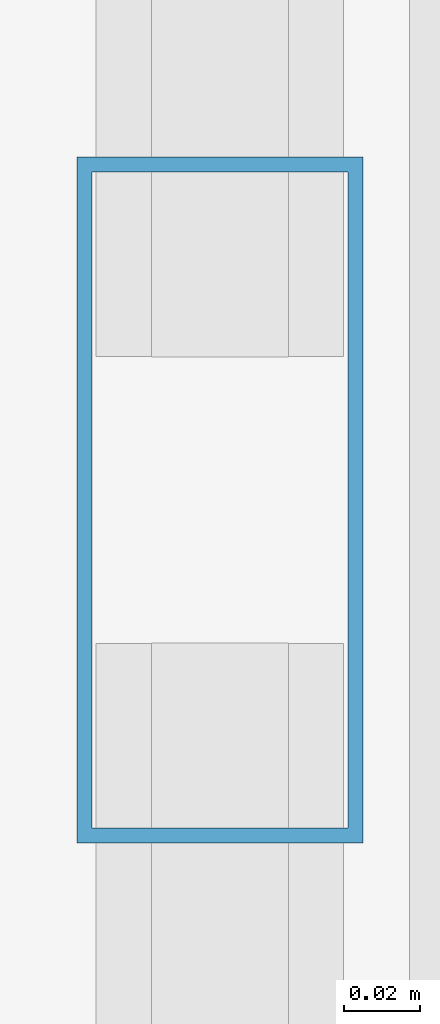
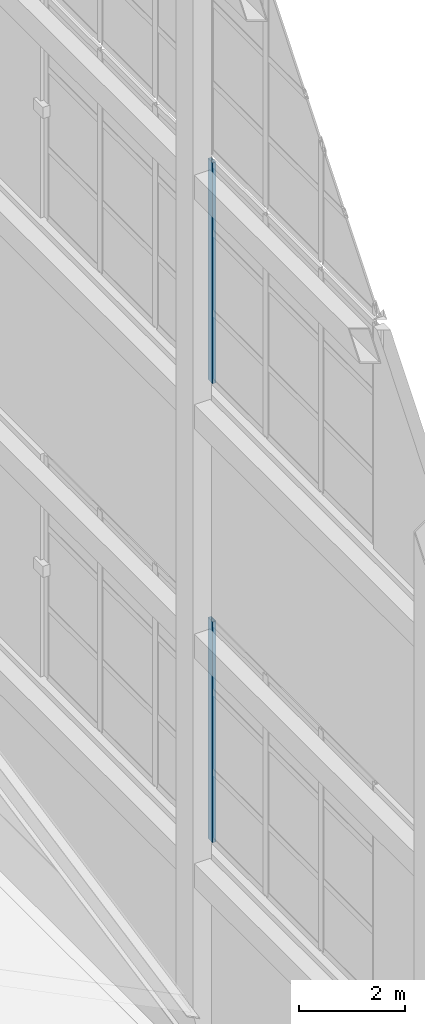
# One storey, part 32 of 47: 2 members, 2 elements without a shape of their own.
"""IFC4 building model written with IfcOpenShell, lengths in metres."""

from ifc_helpers import new_model, si_unit, direction, frame, origin, origin_2d, place, context, subcontext, project, spatial, hollow_rectangle, extrude, material, layer, layer_set, material_profile, profile_set, type_object, element, aggregate, save


model = new_model("IFC4")

# Units and contexts
model_context = context("Model", 3, precision=1e-05, world=origin(), true_north=direction((0.0, 1.0)))
body_context = subcontext(model_context, "Body", "Model", "MODEL_VIEW")
ifc_project = project(units=[si_unit("LENGTHUNIT", "METRE"), si_unit("AREAUNIT", "SQUARE_METRE"), si_unit("VOLUMEUNIT", "CUBIC_METRE"), si_unit("PLANEANGLEUNIT", "RADIAN"), si_unit("MASSUNIT", "GRAM", prefix="KILO")], contexts=[model_context])

# Site, building, storey
site_placement = place(None, origin())
site = spatial("IfcSite", under=ifc_project, at=site_placement, CompositionType="ELEMENT")
building_placement = place(site_placement, origin())
building = spatial("IfcBuilding", under=site, at=building_placement, Name="Qiaolan Cultural Towers", CompositionType="ELEMENT")
storey_placement = place(building_placement, frame((0.0, 0.0, 280.199951171875)))
storey = spatial("IfcBuildingStorey", under=building, at=storey_placement, Name="RF", CompositionType="ELEMENT", Elevation=280.199951171875)

# Curtain wall, member
ifc_material_1 = material(Name="Unitized Anodized Aluminium Curtain Wall System", Category="aluminium")
ifc_layer = layer(ifc_material_1, 0.199951171875)
ifc_layer_set = layer_set([ifc_layer], Name="Unitized Anodized Aluminium Curtain Wall System")
curtain_wall_type = type_object("IfcCurtainWallType", Name="CWS-06", PredefinedType="NOTDEFINED", material=ifc_layer_set)
curtain_wall_1_placement = place(storey_placement, origin())
curtain_wall_1 = element("IfcCurtainWall", 1, at=curtain_wall_1_placement, inside=storey, type_object=curtain_wall_type, Name="T1 Crown Tier 2 Fritted Screen Curtain Wall 3", PredefinedType="NOTDEFINED")
ifc_material_2 = material(Name="Extruded Aluminium 6063-T6", Category="aluminium")
ifc_material_profile = material_profile(ifc_material_2, hollow_rectangle(XDim=0.074951171875, YDim=0.179931640625, WallThickness=0.00390625, at=origin_2d()), Name="CWM-180x75x4")
ifc_profile_set = profile_set([ifc_material_profile], Name="Extruded Aluminium 6063-T6")
member_type = type_object("IfcMemberType", Name="CWS-06-MUL", PredefinedType="MULLION", material=ifc_profile_set)
member_1_placement = place(storey_placement, frame((45.050048828125, 34.0, 5.400146484375), z_axis=(0.0, 0.0, 1.0), x_axis=(-1.0, 0.0, 0.0)))
member_1 = element("IfcMember", 2, at=member_1_placement, type_object=member_type, Name="CW-6 mullion 4", PredefinedType="MULLION", context=body_context, shape_type="SweptSolid", body=[
    extrude(hollow_rectangle(XDim=0.074951171875, YDim=0.179931640625, WallThickness=0.00390625, at=origin_2d()), origin(), (0.0, 0.0, 1.0), 5.099853515625),
])
aggregate(curtain_wall_1, [member_1])

curtain_wall_2_placement = place(storey_placement, origin())
curtain_wall_2 = element("IfcCurtainWall", 3, at=curtain_wall_2_placement, inside=storey, type_object=curtain_wall_type, Name="T1 Crown Tier 4 Fritted Screen Curtain Wall 3", PredefinedType="NOTDEFINED")
member_2_placement = place(storey_placement, frame((45.050048828125, 34.0, 16.0), z_axis=(0.0, 0.0, 1.0), x_axis=(-1.0, 0.0, 0.0)))
member_2 = element("IfcMember", 4, at=member_2_placement, type_object=member_type, Name="CW-6 mullion 4", PredefinedType="MULLION", context=body_context, shape_type="SweptSolid", body=[
    extrude(hollow_rectangle(XDim=0.074951171875, YDim=0.179931640625, WallThickness=0.00390625, at=origin_2d()), origin(), (0.0, 0.0, 1.0), 5.10009765625),
])
aggregate(curtain_wall_2, [member_2])

save(model, "model.ifc")
